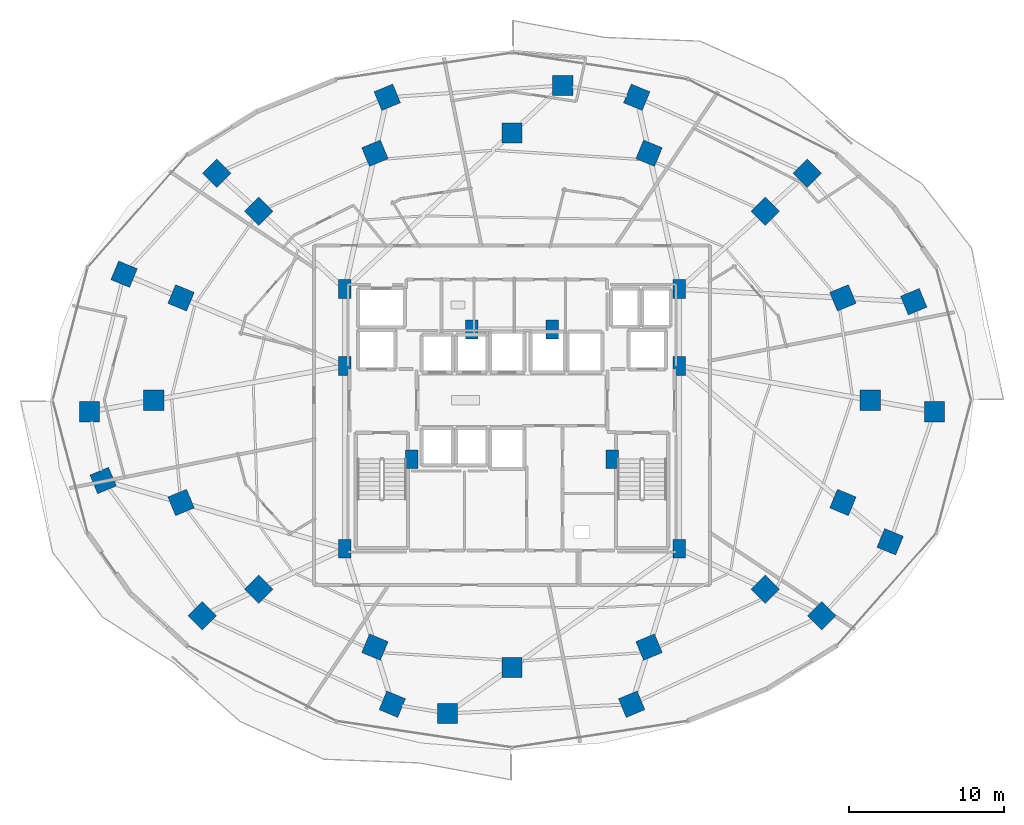
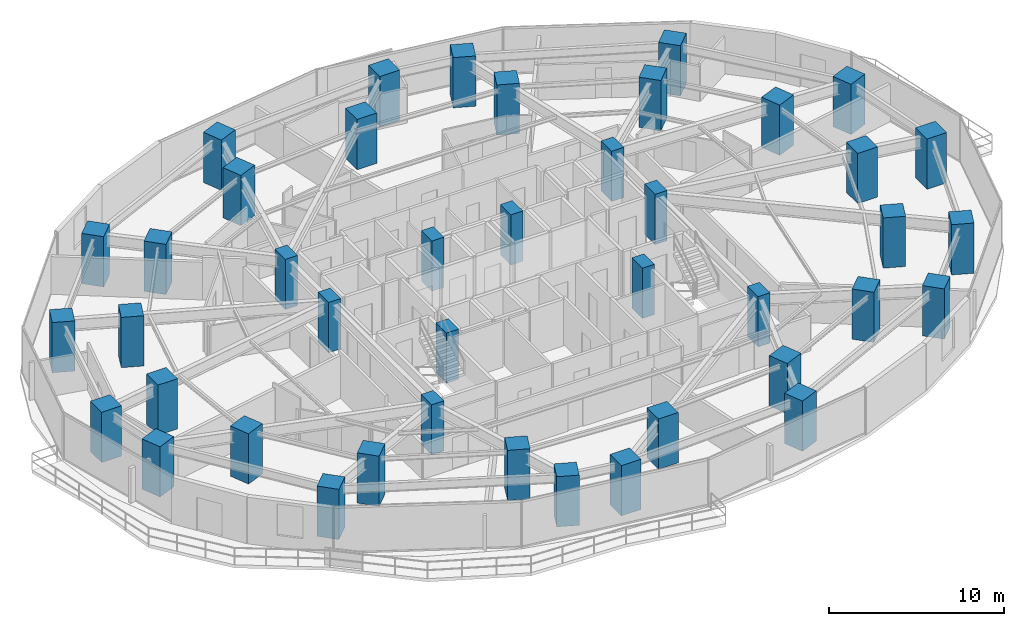
# One storey, part 1 of 30: 42 columns.
"""IFC4 building model written with IfcOpenShell, lengths in metres."""

from ifc_helpers import new_model, si_unit, direction, frame, origin, origin_2d, place, context, subcontext, project, spatial, rectangle, extrude, material, material_profile, profile_set, type_object, element, save


model = new_model("IFC4")

# Units and contexts
model_context = context("Model", 3, precision=1e-05, world=origin(), true_north=direction((0.0, 1.0)))
body_context = subcontext(model_context, "Body", "Model", "MODEL_VIEW")
ifc_project = project(units=[si_unit("LENGTHUNIT", "METRE"), si_unit("AREAUNIT", "SQUARE_METRE"), si_unit("VOLUMEUNIT", "CUBIC_METRE"), si_unit("PLANEANGLEUNIT", "RADIAN"), si_unit("MASSUNIT", "GRAM", prefix="KILO")], contexts=[model_context])

# Site, building, storey
site_placement = place(None, origin())
site = spatial("IfcSite", under=ifc_project, at=site_placement, CompositionType="ELEMENT")
building_placement = place(site_placement, origin())
building = spatial("IfcBuilding", under=site, at=building_placement, Name="Vorneva Point Tower", CompositionType="ELEMENT")
storey_placement = place(building_placement, frame((0.0, 0.0, 41.5)))
storey = spatial("IfcBuildingStorey", under=building, at=storey_placement, Name="L10", CompositionType="ELEMENT", Elevation=41.5)

# Columns
ifc_material = material(Name="Concrete B60 (C50/60)", Category="concrete")
ifc_material_profile_1 = material_profile(ifc_material, rectangle(XDim=1.300048828125, YDim=1.300048828125, at=origin_2d()), Name="RC-COL 1300x1300")
ifc_profile_set_1 = profile_set([ifc_material_profile_1], Name="Concrete B60 (C50/60)")
column_type_1 = type_object("IfcColumnType", Name="COL-RC1300", PredefinedType="COLUMN", material=ifc_profile_set_1)
for number, where, z_axis, x_axis, name in (
    (1, (61.050048828125, 26.0, 0.0), (0.0, 0.0, 1.0), (1.0, 0.0, 0.0), "L10 Perimeter Column P01"),
    (2, (59.29541015625, 32.582275390625, 0.0), (0.0, 0.0, 1.0), (0.923879532511, 0.382683432365, 0.0), "L10 Perimeter Column P02"),
    (3, (54.298828125, 38.162109375, 0.0), (0.0, 0.0, 1.0), (0.707106781187, 0.707106781187, 0.0), "L10 Perimeter Column P03"),
    (4, (46.82080078125, 41.890625, 0.0), (0.0, 0.0, 1.0), (0.382683432365, 0.923879532511, 0.0), "L10 Perimeter Column P04"),
    (5, (38.0, 43.199951171875, 0.0), (0.0, 0.0, 1.0), (0.0, 1.0, 0.0), "L10 Perimeter Column P05"),
    (6, (29.17919921875, 41.890625, 0.0), (0.0, 0.0, 1.0), (-0.382683432365, 0.923879532511, 0.0), "L10 Perimeter Column P06"),
    (7, (21.701171875, 38.162109375, 0.0), (0.0, 0.0, 1.0), (-0.707106781187, 0.707106781187, 0.0), "L10 Perimeter Column P07"),
    (8, (16.70458984375, 32.582275390625, 0.0), (0.0, 0.0, 1.0), (-0.923879532511, 0.382683432365, 0.0), "L10 Perimeter Column P08"),
    (9, (14.949951171875, 26.0, 0.0), (0.0, 0.0, 1.0), (-1.0, 0.0, 0.0), "L10 Perimeter Column P09"),
    (10, (16.70458984375, 19.417724609375, 0.0), (0.0, 0.0, 1.0), (-0.923879532511, -0.382683432365, 0.0), "L10 Perimeter Column P10"),
    (11, (21.701171875, 13.837890625, 0.0), (0.0, 0.0, 1.0), (-0.707106781187, -0.707106781187, 0.0), "L10 Perimeter Column P11"),
    (12, (29.17919921875, 10.109375, 0.0), (0.0, 0.0, 1.0), (-0.382683432365, -0.923879532511, 0.0), "L10 Perimeter Column P12"),
    (13, (38.0, 8.800048828125, 0.0), (0.0, 0.0, 1.0), (0.0, -1.0, 0.0), "L10 Perimeter Column P13"),
    (14, (46.82080078125, 10.109375, 0.0), (0.0, 0.0, 1.0), (0.382683432365, -0.923879532511, 0.0), "L10 Perimeter Column P14"),
    (15, (54.298828125, 13.837890625, 0.0), (0.0, 0.0, 1.0), (0.707106781187, -0.707106781187, 0.0), "L10 Perimeter Column P15"),
    (16, (59.29541015625, 19.417724609375, 0.0), (0.0, 0.0, 1.0), (0.923879532511, -0.382683432365, 0.0), "L10 Perimeter Column P16"),
    (17, (65.18212890625, 25.260986328125, 0.0), (0.0, 0.0, 1.0), (1.0, 0.0, 0.0), "L10 Outer Zone Column OP01"),
    (18, (63.8544921875, 32.336669921875, 0.0), (0.0, 0.0, 1.0), (0.923879532511, 0.382683432365, 0.0), "L10 Outer Zone Column OP02"),
    (19, (56.997314453125, 40.599853515625, 0.0), (0.0, 0.0, 1.0), (0.707106781187, 0.707106781187, 0.0), "L10 Outer Zone Column OP03"),
    (20, (46.026123046875, 45.49169921875, 0.0), (0.0, 0.0, 1.0), (0.382683432365, 0.923879532511, 0.0), "L10 Outer Zone Column OP04"),
    (21, (41.26513671875, 46.25244140625, 0.0), (0.0, 0.0, 1.0), (0.0, 1.0, 0.0), "L10 Outer Zone Column OP05"),
    (22, (29.973876953125, 45.49169921875, 0.0), (0.0, 0.0, 1.0), (-0.382683432365, 0.923879532511, 0.0), "L10 Outer Zone Column OP06"),
    (23, (19.002685546875, 40.599853515625, 0.0), (0.0, 0.0, 1.0), (-0.707106781187, 0.707106781187, 0.0), "L10 Outer Zone Column OP07"),
    (24, (13.0390625, 34.10546875, 0.0), (0.0, 0.0, 1.0), (-0.923879532511, 0.382683432365, 0.0), "L10 Outer Zone Column OP08"),
    (25, (10.81787109375, 25.260986328125, 0.0), (0.0, 0.0, 1.0), (-1.0, 0.0, 0.0), "L10 Outer Zone Column OP09"),
    (26, (11.68798828125, 20.82958984375, 0.0), (0.0, 0.0, 1.0), (-0.923879532511, -0.382683432365, 0.0), "L10 Outer Zone Column OP10"),
    (27, (18.061279296875, 12.124267578125, 0.0), (0.0, 0.0, 1.0), (-0.707106781187, -0.707106781187, 0.0), "L10 Outer Zone Column OP11"),
    (28, (30.296875, 6.435302734375, 0.0), (0.0, 0.0, 1.0), (-0.382683432365, -0.923879532511, 0.0), "L10 Outer Zone Column OP12"),
    (29, (33.84033203125, 5.83984375, 0.0), (0.0, 0.0, 1.0), (0.0, -1.0, 0.0), "L10 Outer Zone Column OP13"),
    (30, (45.703125, 6.435302734375, 0.0), (0.0, 0.0, 1.0), (0.382683432365, -0.923879532511, 0.0), "L10 Outer Zone Column OP14"),
    (31, (57.938720703125, 12.124267578125, 0.0), (0.0, 0.0, 1.0), (0.707106781187, -0.707106781187, 0.0), "L10 Outer Zone Column OP15"),
    (32, (62.3349609375, 16.886474609375, 0.0), (0.0, 0.0, 1.0), (0.923879532511, -0.382683432365, 0.0), "L10 Outer Zone Column OP16"),
):
    element("IfcColumn", number, at=place(storey_placement, frame(where, z_axis=z_axis, x_axis=x_axis)), inside=storey, type_object=column_type_1, Name=name, PredefinedType="COLUMN", context=body_context, shape_type="SweptSolid", body=[
        extrude(rectangle(XDim=1.300048828125, YDim=1.300048828125, at=origin_2d()), origin(), (0.0, 0.0, 1.0), 3.5),
    ])
ifc_material_profile_2 = material_profile(ifc_material, rectangle(XDim=0.800048828125, YDim=1.199951171875, at=origin_2d()), Name="RC-PIL 1200x800")
ifc_profile_set_2 = profile_set([ifc_material_profile_2], Name="Concrete B60 (C50/60)")
column_type_2 = type_object("IfcColumnType", Name="PIL-RC1200x800", PredefinedType="PILASTER", material=ifc_profile_set_2)
for number, where, z_axis, x_axis, name in (
    (33, (27.25, 16.449951171875, 0.0), (0.0, 0.0, 1.0), (1.0, 0.0, 0.0), "L10 Core Pilaster CP1"),
    (34, (27.25, 28.199951171875, 0.0), (0.0, 0.0, 1.0), (1.0, 0.0, 0.0), "L10 Core Pilaster CP2"),
    (35, (27.25, 33.14990234375, 0.0), (0.0, 0.0, 1.0), (1.0, 0.0, 0.0), "L10 Core Pilaster CP3"),
    (36, (31.550048828125, 22.199951171875, 0.0), (0.0, 0.0, 1.0), (1.0, 0.0, 0.0), "L10 Core Pilaster CP4"),
    (37, (48.75, 33.14990234375, 0.0), (0.0, 0.0, 1.0), (1.0, 0.0, 0.0), "L10 Core Pilaster CP5"),
    (38, (48.75, 28.199951171875, 0.0), (0.0, 0.0, 1.0), (1.0, 0.0, 0.0), "L10 Core Pilaster CP6"),
    (39, (48.75, 16.449951171875, 0.0), (0.0, 0.0, 1.0), (1.0, 0.0, 0.0), "L10 Core Pilaster CP7"),
    (40, (44.449951171875, 22.199951171875, 0.0), (0.0, 0.0, 1.0), (1.0, 0.0, 0.0), "L10 Core Pilaster CP8"),
    (41, (35.39990234375, 30.550048828125, 0.0), (0.0, 0.0, 1.0), (1.0, 0.0, 0.0), "L10 Core Pilaster CP9"),
    (42, (40.60009765625, 30.550048828125, 0.0), (0.0, 0.0, 1.0), (1.0, 0.0, 0.0), "L10 Core Pilaster CP10"),
):
    element("IfcColumn", number, at=place(storey_placement, frame(where, z_axis=z_axis, x_axis=x_axis)), inside=storey, type_object=column_type_2, Name=name, PredefinedType="PILASTER", context=body_context, shape_type="SweptSolid", body=[
        extrude(rectangle(XDim=0.800048828125, YDim=1.199951171875, at=origin_2d()), origin(), (0.0, 0.0, 1.0), 3.5),
    ])

save(model, "model.ifc")
